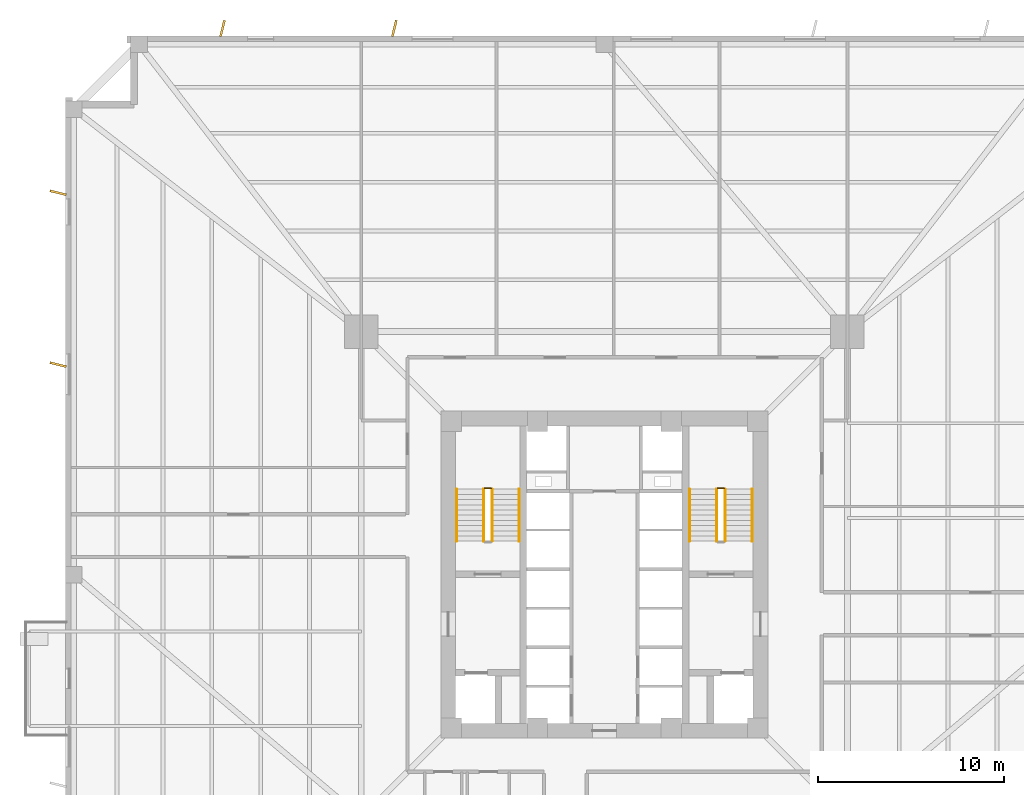
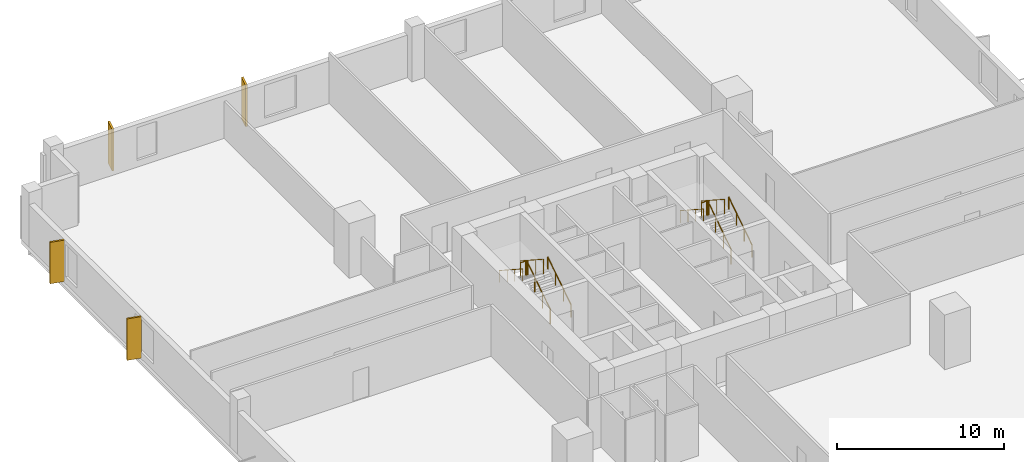
# One storey, part 7 of 8: 10 railings, 4 coverings.
"""IFC4 building model written with IfcOpenShell, lengths in metres."""

from ifc_helpers import new_model, si_unit, direction, frame, origin, origin_2d, place, context, subcontext, project, spatial, rectangle, circle, extrude, source, transform, mapped, material, layer, layer_set, type_object, element, save


model = new_model("IFC4")

# Units and contexts
model_context = context("Model", 3, precision=1e-05, world=origin(), true_north=direction((0.0, 1.0)))
body_context = subcontext(model_context, "Body", "Model", "MODEL_VIEW")
ifc_project = project(units=[si_unit("LENGTHUNIT", "METRE"), si_unit("AREAUNIT", "SQUARE_METRE"), si_unit("VOLUMEUNIT", "CUBIC_METRE"), si_unit("PLANEANGLEUNIT", "RADIAN"), si_unit("MASSUNIT", "GRAM", prefix="KILO"), si_unit("THERMODYNAMICTEMPERATUREUNIT", "KELVIN")], contexts=[model_context])

# Site, building, storey
site_placement = place(None, origin())
site = spatial("IfcSite", under=ifc_project, at=site_placement, CompositionType="ELEMENT")
building_placement = place(site_placement, origin())
building = spatial("IfcBuilding", under=site, at=building_placement, Name="Kosmvard Interchange Tower", CompositionType="ELEMENT")
storey_placement = place(building_placement, frame((0.0, 0.0, 46.0)))
storey = spatial("IfcBuildingStorey", under=building, at=storey_placement, Name="L10", CompositionType="ELEMENT", Elevation=46.0)

# Coverings
ifc_material_1 = material(Name="Architectural anodised aluminium", Category="aluminium")
ifc_layer = layer(ifc_material_1, 0.1201171875, Name="Architectural anodised aluminium")
ifc_layer_set = layer_set([ifc_layer], Name="Architectural anodised aluminium")
covering_type = type_object("IfcCoveringType", Name="Rotating Vertical Sun-Breaker Fin 900x120 Aluminium", PredefinedType="CLADDING", material=ifc_layer_set)
shared_shape_1 = source(origin(), body_context, "Body", "SweptSolid", [
    extrude(rectangle(XDim=0.89990234375, YDim=0.1201171875, at=origin_2d()), origin(), (0.0, 0.0, 1.0), 3.0400390625),
])
for number, where, z_axis, x_axis, name in (
    (1, (-11.3037109375, 29.39990234375, 0.0400390625), (0.0, 0.0, 1.0), (0.237685892326, 0.971342069813, 0.0), "L10 Rotating Vertical Sun-Breaker Fin 11"),
    (2, (-20.552001953125, 29.39990234375, 0.0400390625), (0.0, 0.0, 1.0), (0.237685892326, 0.971342069813, 0.0), "L10 Rotating Vertical Sun-Breaker Fin 12"),
    (3, (-29.39990234375, 20.552001953125, 0.0400390625), (0.0, 0.0, 1.0), (-0.971342069813, 0.237685892326, 0.0), "L10 Rotating Vertical Sun-Breaker Fin 13"),
    (4, (-29.39990234375, 11.3037109375, 0.0400390625), (0.0, 0.0, 1.0), (-0.971342069813, 0.237685892326, 0.0), "L10 Rotating Vertical Sun-Breaker Fin 14"),
):
    element("IfcCovering", number, at=place(storey_placement, frame(where, z_axis=z_axis, x_axis=x_axis)), inside=storey, type_object=covering_type, Name=name, PredefinedType="CLADDING", context=body_context, shape_type="MappedRepresentation", body=[
        mapped(shared_shape_1, transform((0.0, 0.0, 0.0), scale=1.0)),
    ])

# Railings
ifc_material_2 = material(Name="Steel S355", Category="steel")
railing_type_1 = type_object("IfcRailingType", Name="Stair & Terrace Safety Guardrail 1100 Steel", PredefinedType="GUARDRAIL", material=ifc_material_2)
shared_shape_2 = source(origin(), body_context, "Body", "SweptSolid", [
    extrude(circle(Radius=0.02392578125, at=origin_2d()), frame((0.0, 0.0, 1.076171875), z_axis=(-1.0, 0.0, 0.0), x_axis=(0.0, -1.0, 0.0)), (0.0, 0.0, 1.0), 0.35986328125),
    extrude(circle(Radius=0.02099609375, at=origin_2d()), origin(), (0.0, 0.0, 1.0), 1.052001953125),
    extrude(circle(Radius=0.02099609375, at=origin_2d()), frame((-0.35986328125, 0.0, 0.0)), (0.0, 0.0, 1.0), 1.052001953125),
])
for number, where, name in (
    (5, (-6.090087890625, 4.64990234375, 2.0), "L10 ST-1 stair guard 2"),
    (6, (6.449951171875, 4.64990234375, 2.0), "L10 ST-2 stair guard 2"),
):
    element("IfcRailing", number, at=place(storey_placement, frame(where)), inside=storey, type_object=railing_type_1, Name=name, PredefinedType="GUARDRAIL", context=body_context, shape_type="MappedRepresentation", body=[
        mapped(shared_shape_2, transform((0.0, 0.0, 0.0), scale=1.0)),
    ])
shared_shape_3 = source(origin(), body_context, "Body", "SweptSolid", [
    extrude(circle(Radius=0.02392578125, at=origin_2d()), frame((0.0, 0.0, 1.076171875), z_axis=(0.0, 0.838705829183, 0.544584733623), x_axis=(-1.0, 0.0, 0.0)), (0.0, 0.0, 1.0), 3.338623046875),
    extrude(circle(Radius=0.02099609375, at=origin_2d()), origin(), (0.0, 0.0, 1.0), 1.052001953125),
    extrude(circle(Radius=0.02099609375, at=origin_2d()), frame((0.0, 0.933349609375, 0.60595703125)), (0.0, 0.0, 1.0), 1.052001953125),
    extrude(circle(Radius=0.02099609375, at=origin_2d()), frame((0.0, 1.86669921875, 1.212158203125)), (0.0, 0.0, 1.0), 1.052001953125),
    extrude(circle(Radius=0.02099609375, at=origin_2d()), frame((0.0, 2.800048828125, 1.818115234375)), (0.0, 0.0, 1.0), 1.052001953125),
])
for number, where, name in (
    (7, (-6.0400390625, 1.800048828125, 0.181884765625), "L10 ST-1 stair guard 1"),
    (8, (6.5, 1.800048828125, 0.181884765625), "L10 ST-2 stair guard 1"),
):
    element("IfcRailing", number, at=place(storey_placement, frame(where)), inside=storey, type_object=railing_type_1, Name=name, PredefinedType="GUARDRAIL", context=body_context, shape_type="MappedRepresentation", body=[
        mapped(shared_shape_3, transform((0.0, 0.0, 0.0), scale=1.0)),
    ])
shared_shape_4 = source(origin(), body_context, "Body", "SweptSolid", [
    extrude(circle(Radius=0.02392578125, at=origin_2d()), frame((0.0, 0.0, 1.076171875), z_axis=(0.0, -0.838705829183, 0.544584733623), x_axis=(1.0, 0.0, 0.0)), (0.0, 0.0, 1.0), 3.338623046875),
    extrude(circle(Radius=0.02099609375, at=origin_2d()), origin(), (0.0, 0.0, 1.0), 1.052001953125),
    extrude(circle(Radius=0.02099609375, at=origin_2d()), frame((0.0, -0.933349609375, 0.60595703125)), (0.0, 0.0, 1.0), 1.052001953125),
    extrude(circle(Radius=0.02099609375, at=origin_2d()), frame((0.0, -1.86669921875, 1.212158203125)), (0.0, 0.0, 1.0), 1.052001953125),
    extrude(circle(Radius=0.02099609375, at=origin_2d()), frame((0.0, -2.800048828125, 1.818115234375)), (0.0, 0.0, 1.0), 1.052001953125),
])
for number, where, name in (
    (9, (-6.5, 4.60009765625, 2.181884765625), "L10 ST-1 stair guard 3"),
    (10, (6.0400390625, 4.60009765625, 2.181884765625), "L10 ST-2 stair guard 3"),
):
    element("IfcRailing", number, at=place(storey_placement, frame(where)), inside=storey, type_object=railing_type_1, Name=name, PredefinedType="GUARDRAIL", context=body_context, shape_type="MappedRepresentation", body=[
        mapped(shared_shape_4, transform((0.0, 0.0, 0.0), scale=1.0)),
    ])
railing_type_2 = type_object("IfcRailingType", Name="Wall-Mounted Stair Handrail 900 Steel", PredefinedType="HANDRAIL", material=ifc_material_2)
shared_shape_5 = source(origin(), body_context, "Body", "SweptSolid", [
    extrude(circle(Radius=0.02392578125, at=origin_2d()), frame((0.0, 0.0, 0.8759765625), z_axis=(0.0, 0.838705829183, 0.544584733623), x_axis=(-1.0, 0.0, 0.0)), (0.0, 0.0, 1.0), 3.338623046875),
    extrude(circle(Radius=0.02099609375, at=origin_2d()), origin(), (0.0, 0.0, 1.0), 0.851806640625),
    extrude(circle(Radius=0.02099609375, at=origin_2d()), frame((0.0, 0.933349609375, 0.60595703125)), (0.0, 0.0, 1.0), 0.851806640625),
    extrude(circle(Radius=0.02099609375, at=origin_2d()), frame((0.0, 1.86669921875, 1.212158203125)), (0.0, 0.0, 1.0), 0.851806640625),
    extrude(circle(Radius=0.02099609375, at=origin_2d()), frame((0.0, 2.800048828125, 1.818115234375)), (0.0, 0.0, 1.0), 0.851806640625),
])
for number, where, name in (
    (11, (-4.590087890625, 1.800048828125, 0.181884765625), "L10 ST-1 stair handrail 1"),
    (12, (7.949951171875, 1.800048828125, 0.181884765625), "L10 ST-2 stair handrail 1"),
):
    element("IfcRailing", number, at=place(storey_placement, frame(where)), inside=storey, type_object=railing_type_2, Name=name, PredefinedType="HANDRAIL", context=body_context, shape_type="MappedRepresentation", body=[
        mapped(shared_shape_5, transform((0.0, 0.0, 0.0), scale=1.0)),
    ])
shared_shape_6 = source(origin(), body_context, "Body", "SweptSolid", [
    extrude(circle(Radius=0.02392578125, at=origin_2d()), frame((0.0, 0.0, 0.8759765625), z_axis=(0.0, -0.838705829183, 0.544584733623), x_axis=(1.0, 0.0, 0.0)), (0.0, 0.0, 1.0), 3.338623046875),
    extrude(circle(Radius=0.02099609375, at=origin_2d()), origin(), (0.0, 0.0, 1.0), 0.851806640625),
    extrude(circle(Radius=0.02099609375, at=origin_2d()), frame((0.0, -0.933349609375, 0.60595703125)), (0.0, 0.0, 1.0), 0.851806640625),
    extrude(circle(Radius=0.02099609375, at=origin_2d()), frame((0.0, -1.86669921875, 1.212158203125)), (0.0, 0.0, 1.0), 0.851806640625),
    extrude(circle(Radius=0.02099609375, at=origin_2d()), frame((0.0, -2.800048828125, 1.818115234375)), (0.0, 0.0, 1.0), 0.851806640625),
])
for number, where, name in (
    (13, (-7.949951171875, 4.60009765625, 2.181884765625), "L10 ST-1 stair handrail 2"),
    (14, (4.590087890625, 4.60009765625, 2.181884765625), "L10 ST-2 stair handrail 2"),
):
    element("IfcRailing", number, at=place(storey_placement, frame(where)), inside=storey, type_object=railing_type_2, Name=name, PredefinedType="HANDRAIL", context=body_context, shape_type="MappedRepresentation", body=[
        mapped(shared_shape_6, transform((0.0, 0.0, 0.0), scale=1.0)),
    ])

save(model, "model.ifc")
